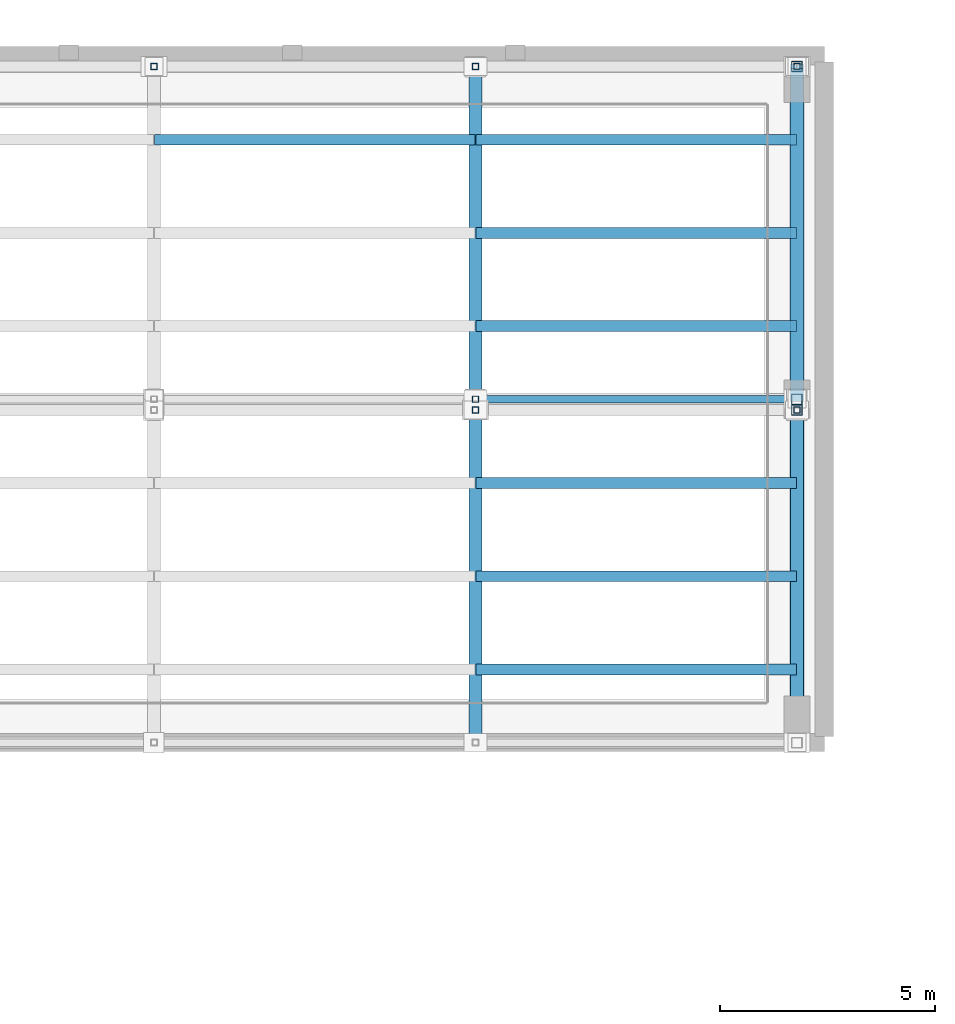
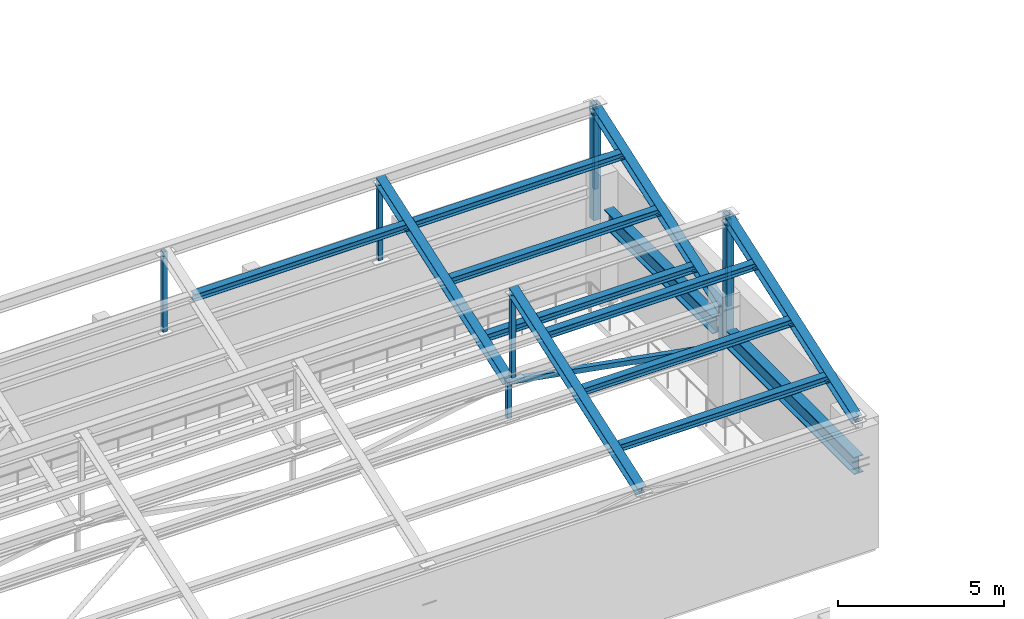
# One storey, part 31 of 76: 21 members, 2 beams.
"""IFC4 building model written with IfcOpenShell, lengths in metres."""

from ifc_helpers import new_model, si_unit, direction, frame, origin, origin_2d, place, context, subcontext, project, spatial, hollow_rectangle, i_section, extrude, material, material_profile, profile_set, type_object, element, save


model = new_model("IFC4")

# Units and contexts
model_context = context("Model", 3, precision=1e-05, world=origin(), true_north=direction((0.0, 1.0)))
body_context = subcontext(model_context, "Body", "Model", "MODEL_VIEW")
ifc_project = project(units=[si_unit("LENGTHUNIT", "METRE"), si_unit("AREAUNIT", "SQUARE_METRE"), si_unit("VOLUMEUNIT", "CUBIC_METRE"), si_unit("PLANEANGLEUNIT", "RADIAN"), si_unit("MASSUNIT", "GRAM", prefix="KILO")], contexts=[model_context])

# Site, building, storey
site_placement = place(None, origin())
site = spatial("IfcSite", under=ifc_project, at=site_placement, CompositionType="ELEMENT")
building_placement = place(site_placement, origin())
building = spatial("IfcBuilding", under=site, at=building_placement, Name="Cinchona Park Media Centre", CompositionType="ELEMENT")
storey_placement = place(building_placement, frame((0.0, 0.0, 15.60009765625)))
storey = spatial("IfcBuildingStorey", under=building, at=storey_placement, Name="L03", CompositionType="ELEMENT", Elevation=15.60009765625)

# Beams
ifc_material_1 = material(Name="Steel S355", Category="steel")
ifc_material_profile_1 = material_profile(ifc_material_1, i_section(OverallWidth=0.3291015625, OverallDepth=0.635009765625, WebThickness=0.017822265625, FlangeThickness=0.031005859375, at=origin_2d()), Name="W610X241")
ifc_profile_set_1 = profile_set([ifc_material_profile_1], Name="Steel S355")
beam_type = type_object("IfcBeamType", Name="BEAM-B05-W610X241", PredefinedType="BEAM", material=ifc_profile_set_1)
beam_1_placement = place(storey_placement, frame((45.360107421875, 101.89990234375, 3.199951171875), z_axis=(0.0, 1.0, 0.0), x_axis=(-1.0, 0.0, 0.0)))
element("IfcBeam", 1, at=beam_1_placement, inside=storey, type_object=beam_type, Name="Sawtooth Valley Edge Girder B05 V2", PredefinedType="BEAM", context=body_context, shape_type="SweptSolid", body=[
    extrude(i_section(OverallWidth=0.3291015625, OverallDepth=0.635009765625, WebThickness=0.017822265625, FlangeThickness=0.031005859375, at=origin_2d()), origin(), (0.0, 0.0, 1.0), 7.68017578125),
])
beam_2_placement = place(storey_placement, frame((45.360107421875, 110.419921875, 3.199951171875), z_axis=(0.0, 1.0, 0.0), x_axis=(-1.0, 0.0, 0.0)))
element("IfcBeam", 2, at=beam_2_placement, inside=storey, type_object=beam_type, Name="Sawtooth Valley Edge Girder B05 V2", PredefinedType="BEAM", context=body_context, shape_type="SweptSolid", body=[
    extrude(i_section(OverallWidth=0.3291015625, OverallDepth=0.635009765625, WebThickness=0.017822265625, FlangeThickness=0.031005859375, at=origin_2d()), origin(), (0.0, 0.0, 1.0), 6.52001953125),
])

# Members
ifc_material_2 = material(Name="Steel S355", Category="steel")
ifc_material_profile_2 = material_profile(ifc_material_2, i_section(OverallWidth=0.25390625, OverallDepth=0.2529296875, WebThickness=0.008544921875, FlangeThickness=0.01416015625, at=origin_2d()), Name="W250X73")
ifc_profile_set_2 = profile_set([ifc_material_profile_2], Name="Steel S355")
member_type_1 = type_object("IfcMemberType", Name="MEMBER-PR02-W250X73", PredefinedType="PURLIN", material=ifc_profile_set_2)
for number, where, z_axis, x_axis, name in (
    (3, (37.8798828125, 103.705078125, 5.33740234375), (1.0, 0.0, 0.0), (0.0, 1.0, 0.0), "Sawtooth Roof Purlin PR02"),
    (4, (37.8798828125, 105.875, 6.093505859375), (1.0, 0.0, 0.0), (0.0, 1.0, 0.0), "Sawtooth Roof Purlin PR02"),
    (5, (37.8798828125, 108.044921875, 6.849365234375), (1.0, 0.0, 0.0), (0.0, 1.0, 0.0), "Sawtooth Roof Purlin PR02"),
    (6, (37.8798828125, 111.705078125, 4.537353515625), (1.0, 0.0, 0.0), (0.0, 1.0, 0.0), "Sawtooth Roof Purlin PR02"),
    (7, (37.8798828125, 113.875, 5.29345703125), (1.0, 0.0, 0.0), (0.0, 1.0, 0.0), "Sawtooth Roof Purlin PR02"),
    (8, (30.389892578125, 116.044921875, 6.04931640625), (1.0, 0.0, 0.0), (0.0, 1.0, 0.0), "Sawtooth Roof Purlin PR02"),
    (9, (37.8798828125, 116.044921875, 6.04931640625), (1.0, 0.0, 0.0), (0.0, 1.0, 0.0), "Sawtooth Roof Purlin PR02"),
):
    element("IfcMember", number, at=place(storey_placement, frame(where, z_axis=z_axis, x_axis=x_axis)), inside=storey, type_object=member_type_1, Name=name, PredefinedType="PURLIN", context=body_context, shape_type="SweptSolid", body=[
        extrude(i_section(OverallWidth=0.25390625, OverallDepth=0.2529296875, WebThickness=0.008544921875, FlangeThickness=0.01416015625, at=origin_2d()), origin(), (0.0, 0.0, 1.0), 7.47021484375),
    ])
ifc_material_3 = material(Name="Steel S355", Category="steel")
ifc_material_profile_3 = material_profile(ifc_material_3, hollow_rectangle(XDim=0.25, YDim=0.25, WallThickness=0.01611328125, at=origin_2d()), Name="250X250X16SHS")
ifc_profile_set_3 = profile_set([ifc_material_profile_3], Name="Steel S355")
member_type_2 = type_object("IfcMemberType", Name="MEMBER-TS02-SHS250X250X16", PredefinedType="STRUT", material=ifc_profile_set_3)
member_1_placement = place(storey_placement, frame((45.360107421875, 109.75, 3.199951171875), z_axis=(0.0, 0.0, 1.0), x_axis=(1.0, 0.0, 0.0)))
element("IfcMember", 10, at=member_1_placement, inside=storey, type_object=member_type_2, Name="Sawtooth Bearing Post TS02 V2 B1", PredefinedType="STRUT", context=body_context, shape_type="SweptSolid", body=[
    extrude(hollow_rectangle(XDim=0.25, YDim=0.25, WallThickness=0.01611328125, at=origin_2d()), origin(), (0.0, 0.0, 1.0), 4.489990234375),
])
member_2_placement = place(storey_placement, frame((45.360107421875, 110.0, 2.64990234375), z_axis=(0.0, 0.0, 1.0), x_axis=(1.0, 0.0, 0.0)))
element("IfcMember", 11, at=member_2_placement, inside=storey, type_object=member_type_2, Name="Sawtooth Bearing Post TS02 V2 B2", PredefinedType="STRUT", context=body_context, shape_type="SweptSolid", body=[
    extrude(hollow_rectangle(XDim=0.25, YDim=0.25, WallThickness=0.01611328125, at=origin_2d()), origin(), (0.0, 0.0, 1.0), 1.5400390625),
])
member_3_placement = place(storey_placement, frame((45.360107421875, 117.75, 2.64990234375), z_axis=(0.0, 0.0, 1.0), x_axis=(1.0, 0.0, 0.0)))
element("IfcMember", 12, at=member_3_placement, inside=storey, type_object=member_type_2, Name="Sawtooth Bearing Post TS02 V2 B2", PredefinedType="STRUT", context=body_context, shape_type="SweptSolid", body=[
    extrude(hollow_rectangle(XDim=0.25, YDim=0.25, WallThickness=0.01611328125, at=origin_2d()), origin(), (0.0, 0.0, 1.0), 4.239990234375),
])
ifc_material_4 = material(Name="Steel S355", Category="steel")
ifc_material_profile_4 = material_profile(ifc_material_4, hollow_rectangle(XDim=0.14990234375, YDim=0.14990234375, WallThickness=0.010009765625, at=origin_2d()), Name="150X150X10SHS")
ifc_profile_set_4 = profile_set([ifc_material_profile_4], Name="Steel S355")
member_type_3 = type_object("IfcMemberType", Name="MEMBER-TS03-SHS150X150X10", PredefinedType="STRUT", material=ifc_profile_set_4)
for number, where, z_axis, x_axis, name in (
    (13, (37.8701171875, 109.75, 4.2998046875), (0.0, 0.0, 1.0), (1.0, 0.0, 0.0), "ROOF TRUSS Monitor Post V2 Bay 1"),
    (14, (45.360107421875, 109.75, 4.2998046875), (0.0, 0.0, 1.0), (1.0, 0.0, 0.0), "ROOF TRUSS Monitor Post V2 Bay 1"),
):
    element("IfcMember", number, at=place(storey_placement, frame(where, z_axis=z_axis, x_axis=x_axis)), inside=storey, type_object=member_type_3, Name=name, PredefinedType="STRUT", context=body_context, shape_type="SweptSolid", body=[
        extrude(hollow_rectangle(XDim=0.14990234375, YDim=0.14990234375, WallThickness=0.010009765625, at=origin_2d()), origin(), (0.0, 0.0, 1.0), 3.2001953125),
    ])
member_4_placement = place(storey_placement, frame((37.8701171875, 110.0, 2.64990234375), z_axis=(0.0, 0.0, 1.0), x_axis=(1.0, 0.0, 0.0)))
element("IfcMember", 15, at=member_4_placement, inside=storey, type_object=member_type_3, Name="ROOF TRUSS Vertical Strut TN3", PredefinedType="STRUT", context=body_context, shape_type="SweptSolid", body=[
    extrude(hollow_rectangle(XDim=0.14990234375, YDim=0.14990234375, WallThickness=0.010009765625, at=origin_2d()), origin(), (0.0, 0.0, 1.0), 1.35009765625),
])
for number, where, z_axis, x_axis, name in (
    (16, (30.3798828125, 117.75, 3.75), (0.0, 0.0, 1.0), (1.0, 0.0, 0.0), "ROOF TRUSS Monitor Post V2 Bay 2"),
    (17, (37.8701171875, 117.75, 3.75), (0.0, 0.0, 1.0), (1.0, 0.0, 0.0), "ROOF TRUSS Monitor Post V2 Bay 2"),
    (18, (45.360107421875, 117.75, 3.75), (0.0, 0.0, 1.0), (1.0, 0.0, 0.0), "ROOF TRUSS Monitor Post V2 Bay 2"),
):
    element("IfcMember", number, at=place(storey_placement, frame(where, z_axis=z_axis, x_axis=x_axis)), inside=storey, type_object=member_type_3, Name=name, PredefinedType="STRUT", context=body_context, shape_type="SweptSolid", body=[
        extrude(hollow_rectangle(XDim=0.14990234375, YDim=0.14990234375, WallThickness=0.010009765625, at=origin_2d()), origin(), (0.0, 0.0, 1.0), 2.949951171875),
    ])
ifc_material_5 = material(Name="Steel S355", Category="steel")
ifc_material_profile_5 = material_profile(ifc_material_5, hollow_rectangle(XDim=0.179931640625, YDim=0.179931640625, WallThickness=0.012451171875, at=origin_2d()), Name="180X180X12.5SHS")
ifc_profile_set_5 = profile_set([ifc_material_profile_5], Name="Steel S355")
member_type_4 = type_object("IfcMemberType", Name="MEMBER-TS04-SHS180X180X12.5", PredefinedType="STRUT", material=ifc_profile_set_5)
member_5_placement = place(storey_placement, frame((37.8701171875, 110.0, 4.0), z_axis=(0.984139781218, 0.0, -0.177394732232), x_axis=(0.0, 1.0, 0.0)))
element("IfcMember", 19, at=member_5_placement, inside=storey, type_object=member_type_4, Name="ROOF TRUSS Web Diagonal TN4", PredefinedType="STRUT", context=body_context, shape_type="SweptSolid", body=[
    extrude(hollow_rectangle(XDim=0.179931640625, YDim=0.179931640625, WallThickness=0.012451171875, at=origin_2d()), origin(), (0.0, 0.0, 1.0), 7.610595703125),
])
ifc_material_6 = material(Name="Steel S355", Category="steel")
ifc_material_profile_6 = material_profile(ifc_material_6, i_section(OverallWidth=0.304931640625, OverallDepth=0.30810546875, WebThickness=0.010009765625, FlangeThickness=0.015380859375, at=origin_2d()), Name="W310X97")
ifc_profile_set_6 = profile_set([ifc_material_profile_6], Name="Steel S355")
member_type_5 = type_object("IfcMemberType", Name="MEMBER-TS06-W310X97", PredefinedType="STRUT", material=ifc_profile_set_6)
for number, where, z_axis, x_axis, name in (
    (20, (37.8701171875, 102.0, 4.7998046875), (0.0, 0.944324900954, 0.329014409165), (-1.0, 0.0, 0.0), "ROOF TRUSS Sawtooth Rafter V2 Bay 1"),
    (21, (45.360107421875, 102.0, 4.7998046875), (0.0, 0.944324900954, 0.329014409165), (-1.0, 0.0, 0.0), "ROOF TRUSS Sawtooth Rafter V2 Bay 1"),
):
    element("IfcMember", number, at=place(storey_placement, frame(where, z_axis=z_axis, x_axis=x_axis)), inside=storey, type_object=member_type_5, Name=name, PredefinedType="STRUT", context=body_context, shape_type="SweptSolid", body=[
        extrude(i_section(OverallWidth=0.304931640625, OverallDepth=0.30810546875, WebThickness=0.010009765625, FlangeThickness=0.015380859375, at=origin_2d()), origin(), (0.0, 0.0, 1.0), 8.20703125),
    ])
for number, where, z_axis, x_axis, name in (
    (22, (37.8701171875, 110.0, 4.0), (0.0, 0.944334143314, 0.328987880888), (-1.0, 0.0, 0.0), "ROOF TRUSS Sawtooth Rafter V2 Bay 2"),
    (23, (45.360107421875, 110.0, 4.0), (0.0, 0.944334143314, 0.328987880888), (-1.0, 0.0, 0.0), "ROOF TRUSS Sawtooth Rafter V2 Bay 2"),
):
    element("IfcMember", number, at=place(storey_placement, frame(where, z_axis=z_axis, x_axis=x_axis)), inside=storey, type_object=member_type_5, Name=name, PredefinedType="STRUT", context=body_context, shape_type="SweptSolid", body=[
        extrude(i_section(OverallWidth=0.304931640625, OverallDepth=0.30810546875, WebThickness=0.010009765625, FlangeThickness=0.015380859375, at=origin_2d()), origin(), (0.0, 0.0, 1.0), 8.206787109375),
    ])

save(model, "model.ifc")
